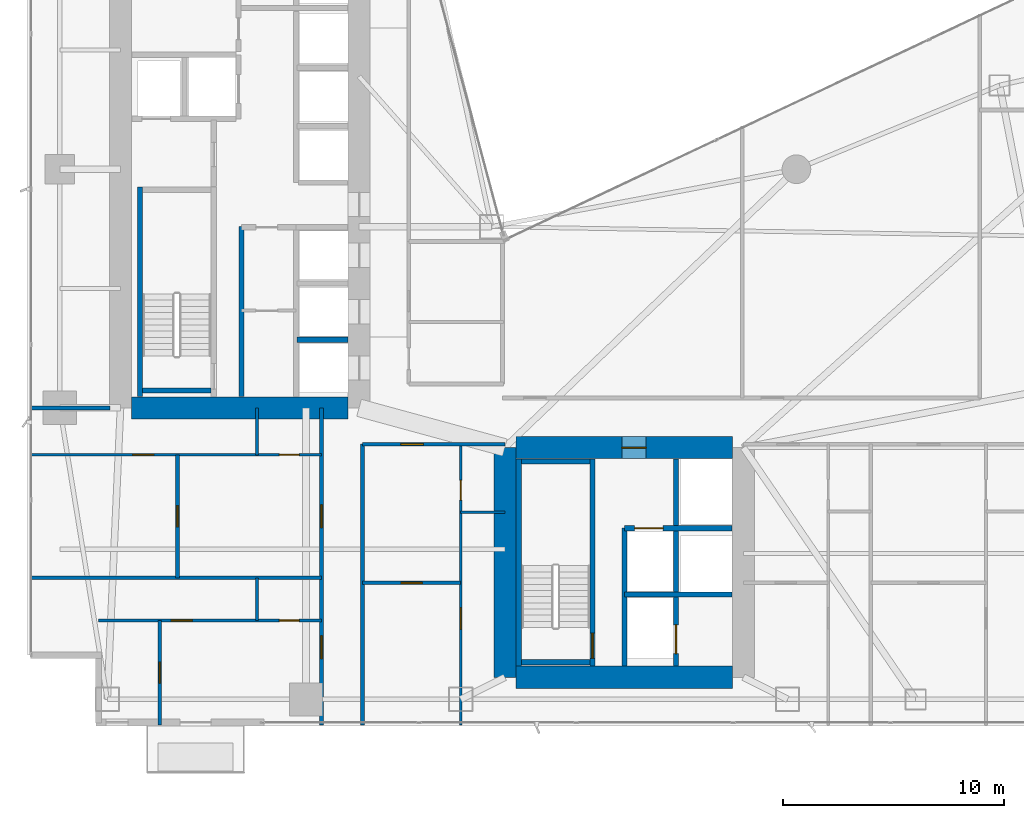
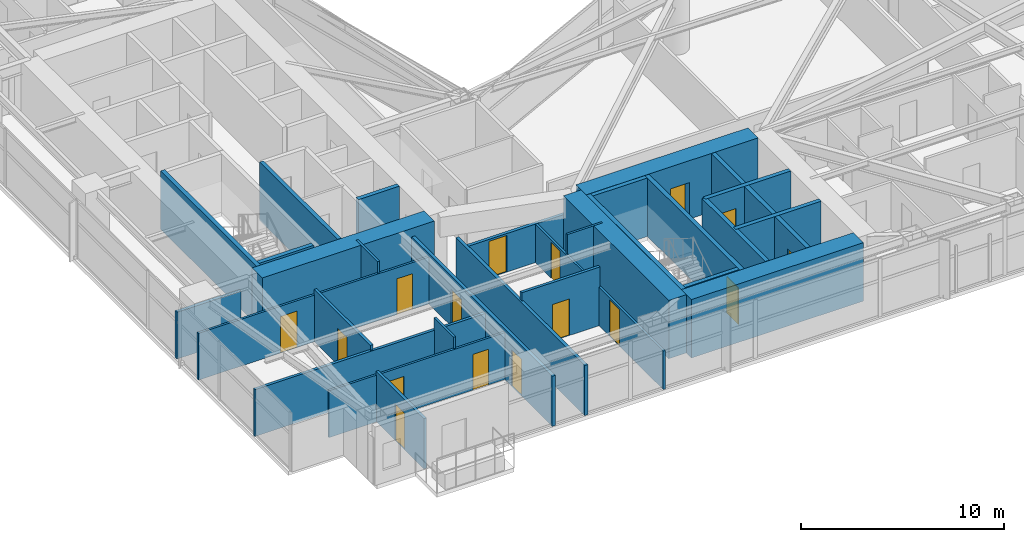
# One storey, part 21 of 28: 30 walls, 16 doors, 16 openings.
"""IFC4 building model written with IfcOpenShell, lengths in metres."""

from ifc_helpers import new_model, si_unit, direction, frame, frame_2d, origin, place, context, subcontext, project, spatial, rectangle, extrude, material, layer, layer_set, type_object, element, fill, save


model = new_model("IFC4")

# Units and contexts
model_context = context("Model", 3, precision=1e-05, world=origin(), true_north=direction((0.0, 1.0)))
body_context = subcontext(model_context, "Body", "Model", "MODEL_VIEW")
ifc_project = project(units=[si_unit("LENGTHUNIT", "METRE"), si_unit("AREAUNIT", "SQUARE_METRE"), si_unit("VOLUMEUNIT", "CUBIC_METRE"), si_unit("PLANEANGLEUNIT", "RADIAN"), si_unit("MASSUNIT", "GRAM", prefix="KILO")], contexts=[model_context])

# Site, building, storey
site_placement = place(None, origin())
site = spatial("IfcSite", under=ifc_project, at=site_placement, CompositionType="ELEMENT")
building_placement = place(site_placement, origin())
building = spatial("IfcBuilding", under=site, at=building_placement, Name="Calvorn Quay Hotel", CompositionType="ELEMENT")
storey_placement = place(building_placement, frame((0.0, 0.0, 88.800048828125)))
storey = spatial("IfcBuildingStorey", under=building, at=storey_placement, Name="L21", CompositionType="ELEMENT", Elevation=88.800048828125)

# Walls
ifc_material_1 = material(Name="Concrete C60", Category="concrete")
ifc_layer_1 = layer(ifc_material_1, 1.0)
ifc_layer_set_1 = layer_set([ifc_layer_1], Name="WL-CORE-1000")
wall_type_1 = type_object("IfcWallType", Name="WL-CORE-1000", PredefinedType="SHEAR", material=ifc_layer_set_1)
wall_1_placement = place(storey_placement, frame((4.699951171875, 16.800048828125, 0.0), z_axis=(0.0, 0.0, 1.0), x_axis=(1.0, 0.0, 0.0)))
element("IfcWall", 1, at=wall_1_placement, inside=storey, type_object=wall_type_1, Name="West Core Shear Wall S (L21)", PredefinedType="SHEAR", context=body_context, shape_type="SweptSolid", body=[
    extrude(rectangle(XDim=9.800048828125, YDim=1.0, at=frame_2d((4.89990234375, 0.0))), origin(), (0.0, 0.0, 1.0), 3.52001953125),
])
wall_2_placement = place(storey_placement, frame((21.60009765625, 4.60009765625, 0.0), z_axis=(0.0, 0.0, 1.0), x_axis=(0.0, 1.0, 0.0)))
element("IfcWall", 2, at=wall_2_placement, inside=storey, type_object=wall_type_1, Name="East Core Shear Wall W (L21)", PredefinedType="SHEAR", context=body_context, shape_type="SweptSolid", body=[
    extrude(rectangle(XDim=10.39990234375, YDim=1.0, at=frame_2d((5.199951171875, 0.0))), origin(), (0.0, 0.0, 1.0), 3.52001953125),
])

# Wall, opening, door
wall_3_placement = place(storey_placement, frame((22.10009765625, 15.0, 0.0), z_axis=(0.0, 0.0, 1.0), x_axis=(1.0, 0.0, 0.0)))
wall_3 = element("IfcWall", 3, at=wall_3_placement, inside=storey, type_object=wall_type_1, Name="East Core Shear Wall N (L21)", PredefinedType="SHEAR", context=body_context, shape_type="SweptSolid", body=[
    extrude(rectangle(XDim=9.7998046875, YDim=1.0, at=frame_2d((4.89990234375, 0.0))), origin(), (0.0, 0.0, 1.0), 3.52001953125),
])
opening_1_placement = place(wall_3_placement, frame((4.800048828125, 0.0, 0.0)))
opening_1 = element("IfcOpeningElement", 4, at=opening_1_placement, cuts=wall_3, Name="Opening D-L21-FLE", PredefinedType="OPENING", context=body_context, shape_type="SweptSolid", body=[
    extrude(rectangle(XDim=1.10009765625, YDim=2.199951171875, at=frame_2d((0.550048828125, 1.10009765625))), frame((0.0, 0.510009765625, 0.0), z_axis=(0.0, -1.0, 0.0), x_axis=(1.0, 0.0, 0.0)), (0.0, 0.0, 1.0), 1.02001953125),
])
ifc_material_2 = material(Name="Smoke-Sealed Steel Class A Fire Door", Category="steel")
door_type_1 = type_object("IfcDoorType", Name="DR-FFLOBBY-1100", OperationType="NOTDEFINED", PredefinedType="DOOR", material=ifc_material_2)
door_1_placement = place(opening_1_placement, origin())
door_1 = element("IfcDoor", 5, at=door_1_placement, inside=storey, type_object=door_type_1, Name="East Firefighting Lobby Fire Door (L21)", OperationType="SINGLE_SWING_LEFT", OverallHeight=2.199951171875, OverallWidth=1.10009765625, PredefinedType="DOOR", context=body_context, shape_type="SweptSolid", body=[
    extrude(rectangle(XDim=1.10009765625, YDim=2.199951171875, at=frame_2d((0.550048828125, 1.10009765625))), frame((0.0, 0.02490234375, 0.0), z_axis=(0.0, -1.0, 0.0), x_axis=(1.0, 0.0, 0.0)), (0.0, 0.0, 1.0), 0.050048828125),
])
fill(opening_1, door_1)

# Walls
wall_4_placement = place(storey_placement, frame((22.10009765625, 4.60009765625, 0.0), z_axis=(0.0, 0.0, 1.0), x_axis=(1.0, 0.0, 0.0)))
element("IfcWall", 6, at=wall_4_placement, inside=storey, type_object=wall_type_1, Name="East Core Shear Wall S (L21)", PredefinedType="SHEAR", context=body_context, shape_type="SweptSolid", body=[
    extrude(rectangle(XDim=9.7998046875, YDim=1.0, at=frame_2d((4.89990234375, 0.0))), origin(), (0.0, 0.0, 1.0), 3.52001953125),
])
ifc_material_3 = material(Name="Acoustic Fireboard Steel-Stud Partition", Category="steel")
ifc_layer_2 = layer(ifc_material_3, 0.179931640625)
ifc_layer_set_2 = layer_set([ifc_layer_2], Name="WL-CORR-FIRE-180")
wall_type_2 = type_object("IfcWallType", Name="WL-CORR-FIRE-180", PredefinedType="PARTITIONING", material=ifc_layer_set_2)
wall_5_placement = place(storey_placement, frame((0.080078125, 16.800048828125, 0.0), z_axis=(0.0, 0.0, 1.0), x_axis=(1.0, 0.0, 0.0)))
element("IfcWall", 7, at=wall_5_placement, inside=storey, type_object=wall_type_2, Name="Partition Wall L21-WL-WBAY-S-WALL", PredefinedType="PARTITIONING", context=body_context, shape_type="SweptSolid", body=[
    extrude(rectangle(XDim=3.64990234375, YDim=0.179931640625, at=frame_2d((1.824951171875, 0.0))), origin(), (0.0, 0.0, 1.0), 2.820068359375),
])

# Wall, openings, doors
wall_6_placement = place(storey_placement, frame((13.300048828125, 2.43994140625, 0.0), z_axis=(0.0, 0.0, 1.0), x_axis=(0.0, 1.0, 0.0)))
wall_6 = element("IfcWall", 8, at=wall_6_placement, inside=storey, type_object=wall_type_2, Name="Partition Wall L21-WL-CORR-SW-LEG-W", PredefinedType="PARTITIONING", context=body_context, shape_type="SweptSolid", body=[
    extrude(rectangle(XDim=14.360107421875, YDim=0.179931640625, at=frame_2d((7.18017578125, 0.0))), origin(), (0.0, 0.0, 1.0), 3.02001953125),
])
opening_2_placement = place(wall_6_placement, frame((3.010009765625, 0.0, 0.0)))
opening_2 = element("IfcOpeningElement", 9, at=opening_2_placement, cuts=wall_6, Name="Opening D-L21-U01", PredefinedType="OPENING", context=body_context, shape_type="SweptSolid", body=[
    extrude(rectangle(XDim=1.02001953125, YDim=2.199951171875, at=frame_2d((0.510009765625, 1.10009765625))), frame((0.0, 0.099853515625, 0.0), z_axis=(0.0, -1.0, 0.0), x_axis=(1.0, 0.0, 0.0)), (0.0, 0.0, 1.0), 0.199951171875),
])
opening_3_placement = place(wall_6_placement, frame((8.93994140625, 0.0, 0.0)))
opening_3 = element("IfcOpeningElement", 10, at=opening_3_placement, cuts=wall_6, Name="Opening D-L21-U02", PredefinedType="OPENING", context=body_context, shape_type="SweptSolid", body=[
    extrude(rectangle(XDim=1.02001953125, YDim=2.199951171875, at=frame_2d((0.510009765625, 1.10009765625))), frame((0.0, 0.099853515625, 0.0), z_axis=(0.0, -1.0, 0.0), x_axis=(1.0, 0.0, 0.0)), (0.0, 0.0, 1.0), 0.199951171875),
])
ifc_material_4 = material(Name="Solid-Core Walnut Veneer Hotel Fire Door")
door_type_2 = type_object("IfcDoorType", Name="DR-GUEST-ENTRY-1020", OperationType="NOTDEFINED", PredefinedType="DOOR", material=ifc_material_4)
door_2_placement = place(opening_2_placement, origin())
door_2 = element("IfcDoor", 11, at=door_2_placement, inside=storey, type_object=door_type_2, Name="South-West Unit Door U01 (L21)", OperationType="SINGLE_SWING_LEFT", OverallHeight=2.199951171875, OverallWidth=1.02001953125, PredefinedType="DOOR", context=body_context, shape_type="SweptSolid", body=[
    extrude(rectangle(XDim=1.02001953125, YDim=2.199951171875, at=frame_2d((0.510009765625, 1.10009765625))), frame((0.0, 0.02490234375, 0.0), z_axis=(0.0, -1.0, 0.0), x_axis=(1.0, 0.0, 0.0)), (0.0, 0.0, 1.0), 0.050048828125),
])
fill(opening_2, door_2)
door_3_placement = place(opening_3_placement, origin())
door_3 = element("IfcDoor", 12, at=door_3_placement, inside=storey, type_object=door_type_2, Name="South-West Unit Door U02 (L21)", OperationType="SINGLE_SWING_RIGHT", OverallHeight=2.199951171875, OverallWidth=1.02001953125, PredefinedType="DOOR", context=body_context, shape_type="SweptSolid", body=[
    extrude(rectangle(XDim=1.02001953125, YDim=2.199951171875, at=frame_2d((0.510009765625, 1.10009765625))), frame((0.0, 0.02490234375, 0.0), z_axis=(0.0, -1.0, 0.0), x_axis=(1.0, 0.0, 0.0)), (0.0, 0.0, 1.0), 0.050048828125),
])
fill(opening_3, door_3)

# Wall
wall_7_placement = place(storey_placement, frame((15.14990234375, 2.43994140625, 0.0), z_axis=(0.0, 0.0, 1.0), x_axis=(0.0, 1.0, 0.0)))
element("IfcWall", 13, at=wall_7_placement, inside=storey, type_object=wall_type_2, Name="Partition Wall L21-WL-CORR-SW-W", PredefinedType="PARTITIONING", context=body_context, shape_type="SweptSolid", body=[
    extrude(rectangle(XDim=12.7099609375, YDim=0.179931640625, at=frame_2d((6.35498046875, 0.0))), origin(), (0.0, 0.0, 1.0), 3.02001953125),
])

# Wall, opening, door
wall_8_placement = place(storey_placement, frame((15.14990234375, 15.14990234375, 0.0), z_axis=(0.0, 0.0, 1.0), x_axis=(1.0, 0.0, 0.0)))
wall_8 = element("IfcWall", 14, at=wall_8_placement, inside=storey, type_object=wall_type_2, Name="Partition Wall L21-WL-SC-CORR-S", PredefinedType="PARTITIONING", context=body_context, shape_type="SweptSolid", body=[
    extrude(rectangle(XDim=6.4501953125, YDim=0.179931640625, at=frame_2d((3.22509765625, 0.0))), origin(), (0.0, 0.0, 1.0), 2.320068359375),
])
opening_4_placement = place(wall_8_placement, frame((1.739990234375, 0.0, 0.0)))
opening_4 = element("IfcOpeningElement", 15, at=opening_4_placement, cuts=wall_8, Name="Opening D-L21-U03", PredefinedType="OPENING", context=body_context, shape_type="SweptSolid", body=[
    extrude(rectangle(XDim=1.02001953125, YDim=2.199951171875, at=frame_2d((0.510009765625, 1.10009765625))), frame((0.0, 0.099853515625, 0.0), z_axis=(0.0, -1.0, 0.0), x_axis=(1.0, 0.0, 0.0)), (0.0, 0.0, 1.0), 0.199951171875),
])
door_4_placement = place(opening_4_placement, origin())
door_4 = element("IfcDoor", 16, at=door_4_placement, inside=storey, type_object=door_type_2, Name="Harbour Central Unit Door (L21)", OperationType="SINGLE_SWING_LEFT", OverallHeight=2.199951171875, OverallWidth=1.02001953125, PredefinedType="DOOR", context=body_context, shape_type="SweptSolid", body=[
    extrude(rectangle(XDim=1.02001953125, YDim=2.199951171875, at=frame_2d((0.510009765625, 1.10009765625))), frame((0.0, 0.02490234375, 0.0), z_axis=(0.0, -1.0, 0.0), x_axis=(1.0, 0.0, 0.0)), (0.0, 0.0, 1.0), 0.050048828125),
])
fill(opening_4, door_4)

# Wall
ifc_material_5 = material(Name="Moisture-Resistant Tile-Backed Partition")
ifc_layer_3 = layer(ifc_material_5, 0.125)
ifc_layer_set_3 = layer_set([ifc_layer_3], Name="WL-ENSUITE-125")
wall_type_3 = type_object("IfcWallType", Name="WL-ENSUITE-125", PredefinedType="PARTITIONING", material=ifc_layer_set_3)
wall_9_placement = place(storey_placement, frame((10.3798828125, 7.169921875, 0.0), z_axis=(0.0, 0.0, 1.0), x_axis=(0.0, 1.0, 0.0)))
element("IfcWall", 17, at=wall_9_placement, inside=storey, type_object=wall_type_3, Name="Partition Wall L21-WL-U01-BDV", PredefinedType="PARTITIONING", context=body_context, shape_type="SweptSolid", body=[
    extrude(rectangle(XDim=1.93017578125, YDim=0.125, at=frame_2d((0.965087890625, 0.0))), origin(), (0.0, 0.0, 1.0), 3.52001953125),
])

# Wall, openings, doors
wall_10_placement = place(storey_placement, frame((3.199951171875, 7.169921875, 0.0), z_axis=(0.0, 0.0, 1.0), x_axis=(1.0, 0.0, 0.0)))
wall_10 = element("IfcWall", 18, at=wall_10_placement, inside=storey, type_object=wall_type_3, Name="Partition Wall L21-WL-U01-BH", PredefinedType="PARTITIONING", context=body_context, shape_type="SweptSolid", body=[
    extrude(rectangle(XDim=10.10009765625, YDim=0.125, at=frame_2d((5.050048828125, 0.0))), origin(), (0.0, 0.0, 1.0), 2.820068359375),
])
opening_5_placement = place(wall_10_placement, frame((3.2900390625, 0.0, 0.0)))
opening_5 = element("IfcOpeningElement", 19, at=opening_5_placement, cuts=wall_10, Name="Opening D-L21-S01", PredefinedType="OPENING", context=body_context, shape_type="SweptSolid", body=[
    extrude(rectangle(XDim=0.9599609375, YDim=2.199951171875, at=frame_2d((0.47998046875, 1.10009765625))), frame((0.0, 0.072509765625, 0.0), z_axis=(0.0, -1.0, 0.0), x_axis=(1.0, 0.0, 0.0)), (0.0, 0.0, 1.0), 0.14501953125),
])
opening_6_placement = place(wall_10_placement, frame((8.18994140625, 0.0, 0.0)))
opening_6 = element("IfcOpeningElement", 20, at=opening_6_placement, cuts=wall_10, Name="Opening D-L21-E01", PredefinedType="OPENING", context=body_context, shape_type="SweptSolid", body=[
    extrude(rectangle(XDim=0.89990234375, YDim=2.14990234375, at=frame_2d((0.449951171875, 1.074951171875))), frame((0.0, 0.072509765625, 0.0), z_axis=(0.0, -1.0, 0.0), x_axis=(1.0, 0.0, 0.0)), (0.0, 0.0, 1.0), 0.14501953125),
])
ifc_material_6 = material(Name="Moisture-Sealed Timber En-Suite Door", Category="wood")
door_type_3 = type_object("IfcDoorType", Name="DR-ENSUITE-900", OperationType="NOTDEFINED", PredefinedType="DOOR", material=ifc_material_6)
door_5_placement = place(opening_6_placement, origin())
door_5 = element("IfcDoor", 21, at=door_5_placement, inside=storey, type_object=door_type_3, Name="En-Suite Door 01", OperationType="SINGLE_SWING_RIGHT", OverallHeight=2.14990234375, OverallWidth=0.89990234375, PredefinedType="DOOR", context=body_context, shape_type="SweptSolid", body=[
    extrude(rectangle(XDim=0.89990234375, YDim=2.14990234375, at=frame_2d((0.449951171875, 1.074951171875))), frame((0.0, 0.02490234375, 0.0), z_axis=(0.0, -1.0, 0.0), x_axis=(1.0, 0.0, 0.0)), (0.0, 0.0, 1.0), 0.050048828125),
])
fill(opening_6, door_5)
ifc_material_7 = material(Name="Solid Timber Internal Suite Door", Category="wood")
door_type_4 = type_object("IfcDoorType", Name="DR-SUITE-INT-960", OperationType="NOTDEFINED", PredefinedType="DOOR", material=ifc_material_7)
door_6_placement = place(opening_5_placement, origin())
door_6 = element("IfcDoor", 22, at=door_6_placement, inside=storey, type_object=door_type_4, Name="Curated Resort Boutique Door 01", OperationType="SINGLE_SWING_LEFT", OverallHeight=2.199951171875, OverallWidth=0.9599609375, PredefinedType="DOOR", context=body_context, shape_type="SweptSolid", body=[
    extrude(rectangle(XDim=0.9599609375, YDim=2.199951171875, at=frame_2d((0.47998046875, 1.10009765625))), frame((0.0, 0.02490234375, 0.0), z_axis=(0.0, -1.0, 0.0), x_axis=(1.0, 0.0, 0.0)), (0.0, 0.0, 1.0), 0.050048828125),
])
fill(opening_5, door_6)

# Wall
wall_11_placement = place(storey_placement, frame((10.3798828125, 14.669921875, 0.0), z_axis=(0.0, 0.0, 1.0), x_axis=(0.0, 1.0, 0.0)))
element("IfcWall", 23, at=wall_11_placement, inside=storey, type_object=wall_type_3, Name="Partition Wall L21-WL-U02-BDV", PredefinedType="PARTITIONING", context=body_context, shape_type="SweptSolid", body=[
    extrude(rectangle(XDim=2.130126953125, YDim=0.125, at=frame_2d((1.06494140625, 0.0))), origin(), (0.0, 0.0, 1.0), 3.52001953125),
])

# Wall, openings, doors
wall_12_placement = place(storey_placement, frame((0.080078125, 14.669921875, 0.0), z_axis=(0.0, 0.0, 1.0), x_axis=(1.0, 0.0, 0.0)))
wall_12 = element("IfcWall", 24, at=wall_12_placement, inside=storey, type_object=wall_type_3, Name="Partition Wall L21-WL-U02-BH", PredefinedType="PARTITIONING", context=body_context, shape_type="SweptSolid", body=[
    extrude(rectangle(XDim=13.219970703125, YDim=0.125, at=frame_2d((6.60986328125, 0.0))), origin(), (0.0, 0.0, 1.0), 2.820068359375),
])
opening_7_placement = place(wall_12_placement, frame((4.669921875, 0.0, 0.0)))
opening_7 = element("IfcOpeningElement", 25, at=opening_7_placement, cuts=wall_12, Name="Opening D-L21-S02", PredefinedType="OPENING", context=body_context, shape_type="SweptSolid", body=[
    extrude(rectangle(XDim=0.9599609375, YDim=2.199951171875, at=frame_2d((0.47998046875, 1.10009765625))), frame((0.0, 0.072509765625, 0.0), z_axis=(0.0, -1.0, 0.0), x_axis=(1.0, 0.0, 0.0)), (0.0, 0.0, 1.0), 0.14501953125),
])
opening_8_placement = place(wall_12_placement, frame((11.31005859375, 0.0, 0.0)))
opening_8 = element("IfcOpeningElement", 26, at=opening_8_placement, cuts=wall_12, Name="Opening D-L21-E02", PredefinedType="OPENING", context=body_context, shape_type="SweptSolid", body=[
    extrude(rectangle(XDim=0.89990234375, YDim=2.14990234375, at=frame_2d((0.449951171875, 1.074951171875))), frame((0.0, 0.072509765625, 0.0), z_axis=(0.0, -1.0, 0.0), x_axis=(1.0, 0.0, 0.0)), (0.0, 0.0, 1.0), 0.14501953125),
])
door_7_placement = place(opening_8_placement, origin())
door_7 = element("IfcDoor", 27, at=door_7_placement, inside=storey, type_object=door_type_3, Name="En-Suite Door 02", OperationType="SINGLE_SWING_RIGHT", OverallHeight=2.14990234375, OverallWidth=0.89990234375, PredefinedType="DOOR", context=body_context, shape_type="SweptSolid", body=[
    extrude(rectangle(XDim=0.89990234375, YDim=2.14990234375, at=frame_2d((0.449951171875, 1.074951171875))), frame((0.0, 0.02490234375, 0.0), z_axis=(0.0, -1.0, 0.0), x_axis=(1.0, 0.0, 0.0)), (0.0, 0.0, 1.0), 0.050048828125),
])
fill(opening_8, door_7)
door_8_placement = place(opening_7_placement, origin())
door_8 = element("IfcDoor", 28, at=door_8_placement, inside=storey, type_object=door_type_4, Name="Curated Resort Boutique Door 02", OperationType="SINGLE_SWING_LEFT", OverallHeight=2.199951171875, OverallWidth=0.9599609375, PredefinedType="DOOR", context=body_context, shape_type="SweptSolid", body=[
    extrude(rectangle(XDim=0.9599609375, YDim=2.199951171875, at=frame_2d((0.47998046875, 1.10009765625))), frame((0.0, 0.02490234375, 0.0), z_axis=(0.0, -1.0, 0.0), x_axis=(1.0, 0.0, 0.0)), (0.0, 0.0, 1.0), 0.050048828125),
])
fill(opening_7, door_8)

# Wall
wall_13_placement = place(storey_placement, frame((19.60009765625, 12.070068359375, 0.0), z_axis=(0.0, 0.0, 1.0), x_axis=(1.0, 0.0, 0.0)))
element("IfcWall", 29, at=wall_13_placement, inside=storey, type_object=wall_type_3, Name="Partition Wall L21-WL-U03-BDV", PredefinedType="PARTITIONING", context=body_context, shape_type="SweptSolid", body=[
    extrude(rectangle(XDim=2.0, YDim=0.125, at=frame_2d((1.0, 0.0))), origin(), (0.0, 0.0, 1.0), 3.52001953125),
])

# Wall, openings, doors
wall_14_placement = place(storey_placement, frame((19.60009765625, 2.43994140625, 0.0), z_axis=(0.0, 0.0, 1.0), x_axis=(0.0, 1.0, 0.0)))
wall_14 = element("IfcWall", 30, at=wall_14_placement, inside=storey, type_object=wall_type_3, Name="Partition Wall L21-WL-U03-BV", PredefinedType="PARTITIONING", context=body_context, shape_type="SweptSolid", body=[
    extrude(rectangle(XDim=12.7099609375, YDim=0.125, at=frame_2d((6.35498046875, 0.0))), origin(), (0.0, 0.0, 1.0), 2.320068359375),
])
opening_9_placement = place(wall_14_placement, frame((4.340087890625, 0.0, 0.0)))
opening_9 = element("IfcOpeningElement", 31, at=opening_9_placement, cuts=wall_14, Name="Opening D-L21-S03", PredefinedType="OPENING", context=body_context, shape_type="SweptSolid", body=[
    extrude(rectangle(XDim=0.9599609375, YDim=2.199951171875, at=frame_2d((0.47998046875, 1.10009765625))), frame((0.0, 0.072509765625, 0.0), z_axis=(0.0, -1.0, 0.0), x_axis=(1.0, 0.0, 0.0)), (0.0, 0.0, 1.0), 0.14501953125),
])
opening_10_placement = place(wall_14_placement, frame((10.179931640625, 0.0, 0.0)))
opening_10 = element("IfcOpeningElement", 32, at=opening_10_placement, cuts=wall_14, Name="Opening D-L21-E03", PredefinedType="OPENING", context=body_context, shape_type="SweptSolid", body=[
    extrude(rectangle(XDim=0.89990234375, YDim=2.14990234375, at=frame_2d((0.449951171875, 1.074951171875))), frame((0.0, 0.072509765625, 0.0), z_axis=(0.0, -1.0, 0.0), x_axis=(1.0, 0.0, 0.0)), (0.0, 0.0, 1.0), 0.14501953125),
])
door_9_placement = place(opening_10_placement, origin())
door_9 = element("IfcDoor", 33, at=door_9_placement, inside=storey, type_object=door_type_3, Name="En-Suite Door 03", OperationType="SINGLE_SWING_RIGHT", OverallHeight=2.14990234375, OverallWidth=0.89990234375, PredefinedType="DOOR", context=body_context, shape_type="SweptSolid", body=[
    extrude(rectangle(XDim=0.89990234375, YDim=2.14990234375, at=frame_2d((0.449951171875, 1.074951171875))), frame((0.0, 0.02490234375, 0.0), z_axis=(0.0, -1.0, 0.0), x_axis=(1.0, 0.0, 0.0)), (0.0, 0.0, 1.0), 0.050048828125),
])
fill(opening_10, door_9)
door_10_placement = place(opening_9_placement, origin())
door_10 = element("IfcDoor", 34, at=door_10_placement, inside=storey, type_object=door_type_4, Name="Curated Resort Boutique Door 03", OperationType="SINGLE_SWING_LEFT", OverallHeight=2.199951171875, OverallWidth=0.9599609375, PredefinedType="DOOR", context=body_context, shape_type="SweptSolid", body=[
    extrude(rectangle(XDim=0.9599609375, YDim=2.199951171875, at=frame_2d((0.47998046875, 1.10009765625))), frame((0.0, 0.02490234375, 0.0), z_axis=(0.0, -1.0, 0.0), x_axis=(1.0, 0.0, 0.0)), (0.0, 0.0, 1.0), 0.050048828125),
])
fill(opening_9, door_10)

# Wall, opening, door
ifc_material_8 = material(Name="Double-Stud Acoustic Gypsum Partition")
ifc_layer_4 = layer(ifc_material_8, 0.159912109375)
ifc_layer_set_4 = layer_set([ifc_layer_4], Name="WL-INTERSUITE-160")
wall_type_4 = type_object("IfcWallType", Name="WL-INTERSUITE-160", PredefinedType="PARTITIONING", material=ifc_layer_set_4)
wall_15_placement = place(storey_placement, frame((5.97998046875, 2.43994140625, 0.0), z_axis=(0.0, 0.0, 1.0), x_axis=(0.0, 1.0, 0.0)))
wall_15 = element("IfcWall", 35, at=wall_15_placement, inside=storey, type_object=wall_type_4, Name="Partition Wall L21-WL-U01-MSP", PredefinedType="PARTITIONING", context=body_context, shape_type="SweptSolid", body=[
    extrude(rectangle(XDim=4.72998046875, YDim=0.159912109375, at=frame_2d((2.364990234375, 0.0))), origin(), (0.0, 0.0, 1.0), 3.02001953125),
])
opening_11_placement = place(wall_15_placement, frame((1.889892578125, 0.0, 0.0)))
opening_11 = element("IfcOpeningElement", 36, at=opening_11_placement, cuts=wall_15, Name="Opening D-L21-M01", PredefinedType="OPENING", context=body_context, shape_type="SweptSolid", body=[
    extrude(rectangle(XDim=0.9599609375, YDim=2.199951171875, at=frame_2d((0.47998046875, 1.10009765625))), frame((0.0, 0.08984375, 0.0), z_axis=(0.0, -1.0, 0.0), x_axis=(1.0, 0.0, 0.0)), (0.0, 0.0, 1.0), 0.179931640625),
])
door_11_placement = place(opening_11_placement, origin())
door_11 = element("IfcDoor", 37, at=door_11_placement, inside=storey, type_object=door_type_4, Name="Suite Bedroom Door 01", OperationType="SINGLE_SWING_LEFT", OverallHeight=2.199951171875, OverallWidth=0.9599609375, PredefinedType="DOOR", context=body_context, shape_type="SweptSolid", body=[
    extrude(rectangle(XDim=0.9599609375, YDim=2.199951171875, at=frame_2d((0.47998046875, 1.10009765625))), frame((0.0, 0.02490234375, 0.0), z_axis=(0.0, -1.0, 0.0), x_axis=(1.0, 0.0, 0.0)), (0.0, 0.0, 1.0), 0.050048828125),
])
fill(opening_11, door_11)

wall_16_placement = place(storey_placement, frame((6.780029296875, 9.10009765625, 0.0), z_axis=(0.0, 0.0, 1.0), x_axis=(0.0, 1.0, 0.0)))
wall_16 = element("IfcWall", 38, at=wall_16_placement, inside=storey, type_object=wall_type_4, Name="Partition Wall L21-WL-U02-MSP", PredefinedType="PARTITIONING", context=body_context, shape_type="SweptSolid", body=[
    extrude(rectangle(XDim=5.56982421875, YDim=0.159912109375, at=frame_2d((2.784912109375, 0.0))), origin(), (0.0, 0.0, 1.0), 3.119873046875),
])
opening_12_placement = place(wall_16_placement, frame((2.31005859375, 0.0, 0.0)))
opening_12 = element("IfcOpeningElement", 39, at=opening_12_placement, cuts=wall_16, Name="Opening D-L21-M02", PredefinedType="OPENING", context=body_context, shape_type="SweptSolid", body=[
    extrude(rectangle(XDim=0.9599609375, YDim=2.199951171875, at=frame_2d((0.47998046875, 1.10009765625))), frame((0.0, 0.08984375, 0.0), z_axis=(0.0, -1.0, 0.0), x_axis=(1.0, 0.0, 0.0)), (0.0, 0.0, 1.0), 0.179931640625),
])
door_12_placement = place(opening_12_placement, origin())
door_12 = element("IfcDoor", 40, at=door_12_placement, inside=storey, type_object=door_type_4, Name="Suite Bedroom Door 02", OperationType="SINGLE_SWING_LEFT", OverallHeight=2.199951171875, OverallWidth=0.9599609375, PredefinedType="DOOR", context=body_context, shape_type="SweptSolid", body=[
    extrude(rectangle(XDim=0.9599609375, YDim=2.199951171875, at=frame_2d((0.47998046875, 1.10009765625))), frame((0.0, 0.02490234375, 0.0), z_axis=(0.0, -1.0, 0.0), x_axis=(1.0, 0.0, 0.0)), (0.0, 0.0, 1.0), 0.050048828125),
])
fill(opening_12, door_12)

# Wall
wall_17_placement = place(storey_placement, frame((0.080078125, 9.10009765625, 0.0), z_axis=(0.0, 0.0, 1.0), x_axis=(1.0, 0.0, 0.0)))
element("IfcWall", 41, at=wall_17_placement, inside=storey, type_object=wall_type_4, Name="Partition Wall L21-WL-SW-DIV-1", PredefinedType="PARTITIONING", context=body_context, shape_type="SweptSolid", body=[
    extrude(rectangle(XDim=13.219970703125, YDim=0.159912109375, at=frame_2d((6.60986328125, 0.0))), origin(), (0.0, 0.0, 1.0), 2.820068359375),
])

# Wall, opening, door
wall_18_placement = place(storey_placement, frame((15.14990234375, 8.8701171875, 0.0), z_axis=(0.0, 0.0, 1.0), x_axis=(1.0, 0.0, 0.0)))
wall_18 = element("IfcWall", 42, at=wall_18_placement, inside=storey, type_object=wall_type_4, Name="Partition Wall L21-WL-U03-MSP", PredefinedType="PARTITIONING", context=body_context, shape_type="SweptSolid", body=[
    extrude(rectangle(XDim=4.4501953125, YDim=0.159912109375, at=frame_2d((2.22509765625, 0.0))), origin(), (0.0, 0.0, 1.0), 3.52001953125),
])
opening_13_placement = place(wall_18_placement, frame((1.75, 0.0, 0.0)))
opening_13 = element("IfcOpeningElement", 43, at=opening_13_placement, cuts=wall_18, Name="Opening D-L21-M03", PredefinedType="OPENING", context=body_context, shape_type="SweptSolid", body=[
    extrude(rectangle(XDim=0.9599609375, YDim=2.199951171875, at=frame_2d((0.47998046875, 1.10009765625))), frame((0.0, 0.08984375, 0.0), z_axis=(0.0, -1.0, 0.0), x_axis=(1.0, 0.0, 0.0)), (0.0, 0.0, 1.0), 0.179931640625),
])
door_13_placement = place(opening_13_placement, origin())
door_13 = element("IfcDoor", 44, at=door_13_placement, inside=storey, type_object=door_type_4, Name="Suite Bedroom Door 03", OperationType="SINGLE_SWING_LEFT", OverallHeight=2.199951171875, OverallWidth=0.9599609375, PredefinedType="DOOR", context=body_context, shape_type="SweptSolid", body=[
    extrude(rectangle(XDim=0.9599609375, YDim=2.199951171875, at=frame_2d((0.47998046875, 1.10009765625))), frame((0.0, 0.02490234375, 0.0), z_axis=(0.0, -1.0, 0.0), x_axis=(1.0, 0.0, 0.0)), (0.0, 0.0, 1.0), 0.050048828125),
])
fill(opening_13, door_13)

# Walls
ifc_material_9 = material(Name="Autoclaved Aerated Masonry Block", Category="masonry")
ifc_layer_5 = layer(ifc_material_9, 0.219970703125)
ifc_layer_set_5 = layer_set([ifc_layer_5], Name="WL-LOBBY-FIRE-220")
wall_type_5 = type_object("IfcWallType", Name="WL-LOBBY-FIRE-220", PredefinedType="SOLIDWALL", material=ifc_layer_set_5)
wall_19_placement = place(storey_placement, frame((9.679931640625, 17.320068359375, 0.0), z_axis=(0.0, 0.0, 1.0), x_axis=(0.0, 1.0, 0.0)))
element("IfcWall", 45, at=wall_19_placement, inside=storey, type_object=wall_type_5, Name="Partition Wall L21-WL-CWW-STW-HALL-E", PredefinedType="SOLIDWALL", context=body_context, shape_type="SweptSolid", body=[
    extrude(rectangle(XDim=7.679931640625, YDim=0.219970703125, at=frame_2d((3.83984375, 0.0))), origin(), (0.0, 0.0, 1.0), 3.52001953125),
])
ifc_material_10 = material(Name="Concrete C40", Category="concrete")
ifc_layer_6 = layer(ifc_material_10, 0.239990234375)
ifc_layer_set_6 = layer_set([ifc_layer_6], Name="WL-SHAFT-240")
wall_type_6 = type_object("IfcWallType", Name="WL-SHAFT-240", PredefinedType="SOLIDWALL", material=ifc_layer_set_6)
wall_20_placement = place(storey_placement, frame((5.080078125, 17.300048828125, 0.0), z_axis=(0.0, 0.0, 1.0), x_axis=(0.0, 1.0, 0.0)))
element("IfcWall", 46, at=wall_20_placement, inside=storey, type_object=wall_type_6, Name="Stair STW Shaft Wall W (L21)", PredefinedType="SOLIDWALL", context=body_context, shape_type="SweptSolid", body=[
    extrude(rectangle(XDim=9.489990234375, YDim=0.239990234375, at=frame_2d((4.7451171875, 0.0))), origin(), (0.0, 0.0, 1.0), 3.52001953125),
])
wall_21_placement = place(storey_placement, frame((5.199951171875, 17.580078125, 0.0), z_axis=(0.0, 0.0, 1.0), x_axis=(1.0, 0.0, 0.0)))
element("IfcWall", 47, at=wall_21_placement, inside=storey, type_object=wall_type_6, Name="Stair STW Shaft Wall S (L21)", PredefinedType="SOLIDWALL", context=body_context, shape_type="SweptSolid", body=[
    extrude(rectangle(XDim=3.10009765625, YDim=0.239990234375, at=frame_2d((1.550048828125, 0.0))), origin(), (0.0, 0.0, 1.0), 3.52001953125),
])
wall_22_placement = place(storey_placement, frame((22.22998046875, 5.10009765625, 0.0), z_axis=(0.0, 0.0, 1.0), x_axis=(0.0, 1.0, 0.0)))
element("IfcWall", 48, at=wall_22_placement, inside=storey, type_object=wall_type_6, Name="Stair STE Shaft Wall W (L21)", PredefinedType="SOLIDWALL", context=body_context, shape_type="SweptSolid", body=[
    extrude(rectangle(XDim=9.389892578125, YDim=0.239990234375, at=frame_2d((4.69482421875, 0.0))), origin(), (0.0, 0.0, 1.0), 3.52001953125),
])

# Wall, opening, door
wall_23_placement = place(storey_placement, frame((25.570068359375, 5.10009765625, 0.0), z_axis=(0.0, 0.0, 1.0), x_axis=(0.0, 1.0, 0.0)))
wall_23 = element("IfcWall", 49, at=wall_23_placement, inside=storey, type_object=wall_type_6, Name="Stair STE Shaft Wall E (L21)", PredefinedType="SOLIDWALL", context=body_context, shape_type="SweptSolid", body=[
    extrude(rectangle(XDim=9.389892578125, YDim=0.239990234375, at=frame_2d((4.69482421875, 0.0))), origin(), (0.0, 0.0, 1.0), 3.52001953125),
])
opening_14_placement = place(wall_23_placement, frame((0.35009765625, 0.0, 0.0)))
opening_14 = element("IfcOpeningElement", 50, at=opening_14_placement, cuts=wall_23, Name="Opening D-L21-STE", PredefinedType="OPENING", context=body_context, shape_type="SweptSolid", body=[
    extrude(rectangle(XDim=1.14990234375, YDim=2.199951171875, at=frame_2d((0.574951171875, 1.10009765625))), frame((0.0, 0.1298828125, 0.0), z_axis=(0.0, -1.0, 0.0), x_axis=(1.0, 0.0, 0.0)), (0.0, 0.0, 1.0), 0.260009765625),
])
ifc_material_11 = material(Name="Galvanised Steel Class A Fire Door", Category="steel")
door_type_5 = type_object("IfcDoorType", Name="DR-STAIR-SMOKE-1150", OperationType="NOTDEFINED", PredefinedType="DOOR", material=ifc_material_11)
door_14_placement = place(opening_14_placement, origin())
door_14 = element("IfcDoor", 51, at=door_14_placement, inside=storey, type_object=door_type_5, Name="Stair ST-E Fire Door (L21)", OperationType="SINGLE_SWING_RIGHT", OverallHeight=2.199951171875, OverallWidth=1.14990234375, PredefinedType="DOOR", context=body_context, shape_type="SweptSolid", body=[
    extrude(rectangle(XDim=1.14990234375, YDim=2.199951171875, at=frame_2d((0.574951171875, 1.10009765625))), frame((0.0, 0.02490234375, 0.0), z_axis=(0.0, -1.0, 0.0), x_axis=(1.0, 0.0, 0.0)), (0.0, 0.0, 1.0), 0.050048828125),
])
fill(opening_14, door_14)

# Walls
for number, where, z_axis, x_axis, name in (
    (52, (22.35009765625, 5.280029296875, 0.0), (0.0, 0.0, 1.0), (1.0, 0.0, 0.0), "Stair STE Shaft Wall S (L21)"),
    (53, (22.35009765625, 14.3701171875, 0.0), (0.0, 0.0, 1.0), (1.0, 0.0, 0.0), "Stair STE Shaft Wall N (L21)"),
):
    element("IfcWall", number, at=place(storey_placement, frame(where, z_axis=z_axis, x_axis=x_axis)), inside=storey, type_object=wall_type_6, Name=name, PredefinedType="SOLIDWALL", context=body_context, shape_type="SweptSolid", body=[
        extrude(rectangle(XDim=3.099853515625, YDim=0.239990234375, at=frame_2d((1.5498046875, 0.0))), origin(), (0.0, 0.0, 1.0), 3.52001953125),
    ])
wall_24_placement = place(storey_placement, frame((12.179931640625, 19.875, 0.0), z_axis=(0.0, 0.0, 1.0), x_axis=(1.0, 0.0, 0.0)))
element("IfcWall", 54, at=wall_24_placement, inside=storey, type_object=wall_type_6, Name="Lift Hoistway Divider Wall PLL12 (L21)", PredefinedType="SOLIDWALL", context=body_context, shape_type="SweptSolid", body=[
    extrude(rectangle(XDim=2.320068359375, YDim=0.239990234375, at=frame_2d((1.16015625, 0.0))), origin(), (0.0, 0.0, 1.0), 3.52001953125),
])
wall_25_placement = place(storey_placement, frame((27.02001953125, 5.1201171875, 0.0), z_axis=(0.0, 0.0, 1.0), x_axis=(0.0, 1.0, 0.0)))
element("IfcWall", 55, at=wall_25_placement, inside=storey, type_object=wall_type_6, Name="Partition Wall L21-WL-CWE-SH-W", PredefinedType="SOLIDWALL", context=body_context, shape_type="SweptSolid", body=[
    extrude(rectangle(XDim=6.22998046875, YDim=0.239990234375, at=frame_2d((3.114990234375, 0.0))), origin(), (0.0, 0.0, 1.0), 3.52001953125),
])

# Wall, opening, door
wall_26_placement = place(storey_placement, frame((27.02001953125, 11.35009765625, 0.0), z_axis=(0.0, 0.0, 1.0), x_axis=(1.0, 0.0, 0.0)))
wall_26 = element("IfcWall", 56, at=wall_26_placement, inside=storey, type_object=wall_type_6, Name="Partition Wall L21-WL-CWE-FFL-S", PredefinedType="SOLIDWALL", context=body_context, shape_type="SweptSolid", body=[
    extrude(rectangle(XDim=4.85986328125, YDim=0.239990234375, at=frame_2d((2.429931640625, 0.0))), origin(), (0.0, 0.0, 1.0), 3.52001953125),
])
opening_15_placement = place(wall_26_placement, frame((0.449951171875, 0.0, 0.0)))
opening_15 = element("IfcOpeningElement", 57, at=opening_15_placement, cuts=wall_26, Name="Opening LD-L21-FLE1", PredefinedType="OPENING", context=body_context, shape_type="SweptSolid", body=[
    extrude(rectangle(XDim=1.300048828125, YDim=2.35009765625, at=frame_2d((0.64990234375, 1.175048828125))), frame((0.0, 0.1298828125, 0.0), z_axis=(0.0, -1.0, 0.0), x_axis=(1.0, 0.0, 0.0)), (0.0, 0.0, 1.0), 0.260009765625),
])
ifc_material_12 = material(Name="Champagne-Bronze Sliding Express Lift Landing Door")
door_type_6 = type_object("IfcDoorType", Name="DR-LIFT-SHUTTLE-1300", OperationType="NOTDEFINED", PredefinedType="DOOR", material=ifc_material_12)
door_15_placement = place(opening_15_placement, origin())
door_15 = element("IfcDoor", 58, at=door_15_placement, inside=storey, type_object=door_type_6, Name="Firefighting Lift FL-E1 Landing Door (L21)", OperationType="DOUBLE_DOOR_SLIDING", OverallHeight=2.35009765625, OverallWidth=1.300048828125, PredefinedType="DOOR", context=body_context, shape_type="SweptSolid", body=[
    extrude(rectangle(XDim=1.300048828125, YDim=2.35009765625, at=frame_2d((0.64990234375, 1.175048828125))), frame((0.0, 0.02490234375, 0.0), z_axis=(0.0, -1.0, 0.0), x_axis=(1.0, 0.0, 0.0)), (0.0, 0.0, 1.0), 0.050048828125),
])
fill(opening_15, door_15)

# Wall
wall_27_placement = place(storey_placement, frame((27.02001953125, 8.35009765625, 0.0), z_axis=(0.0, 0.0, 1.0), x_axis=(1.0, 0.0, 0.0)))
element("IfcWall", 59, at=wall_27_placement, inside=storey, type_object=wall_type_6, Name="Partition Wall L21-WL-CWE-SL-N", PredefinedType="SOLIDWALL", context=body_context, shape_type="SweptSolid", body=[
    extrude(rectangle(XDim=4.85986328125, YDim=0.239990234375, at=frame_2d((2.429931640625, 0.0))), origin(), (0.0, 0.0, 1.0), 3.52001953125),
])

# Wall, opening, door
wall_28_placement = place(storey_placement, frame((29.35009765625, 5.1201171875, 0.0), z_axis=(0.0, 0.0, 1.0), x_axis=(0.0, 1.0, 0.0)))
wall_28 = element("IfcWall", 60, at=wall_28_placement, inside=storey, type_object=wall_type_6, Name="Partition Wall L21-WL-CWE-OB-W", PredefinedType="SOLIDWALL", context=body_context, shape_type="SweptSolid", body=[
    extrude(rectangle(XDim=9.35986328125, YDim=0.239990234375, at=frame_2d((4.679931640625, 0.0))), origin(), (0.0, 0.0, 1.0), 3.52001953125),
])
opening_16_placement = place(wall_28_placement, frame((0.550048828125, 0.0, 0.0)))
opening_16 = element("IfcOpeningElement", 61, at=opening_16_placement, cuts=wall_28, Name="Opening LD-L21-SLEI", PredefinedType="OPENING", context=body_context, shape_type="SweptSolid", body=[
    extrude(rectangle(XDim=1.300048828125, YDim=2.35009765625, at=frame_2d((0.64990234375, 1.175048828125))), frame((0.0, 0.1298828125, 0.0), z_axis=(0.0, -1.0, 0.0), x_axis=(1.0, 0.0, 0.0)), (0.0, 0.0, 1.0), 0.260009765625),
])
door_16_placement = place(opening_16_placement, origin())
door_16 = element("IfcDoor", 62, at=door_16_placement, inside=storey, type_object=door_type_6, Name="Service Lift SL-E1 Landing Door (L21)", OperationType="DOUBLE_DOOR_SLIDING", OverallHeight=2.35009765625, OverallWidth=1.300048828125, PredefinedType="DOOR", context=body_context, shape_type="SweptSolid", body=[
    extrude(rectangle(XDim=1.300048828125, YDim=2.35009765625, at=frame_2d((0.64990234375, 1.175048828125))), frame((0.0, 0.02490234375, 0.0), z_axis=(0.0, -1.0, 0.0), x_axis=(1.0, 0.0, 0.0)), (0.0, 0.0, 1.0), 0.050048828125),
])
fill(opening_16, door_16)

save(model, "model.ifc")
